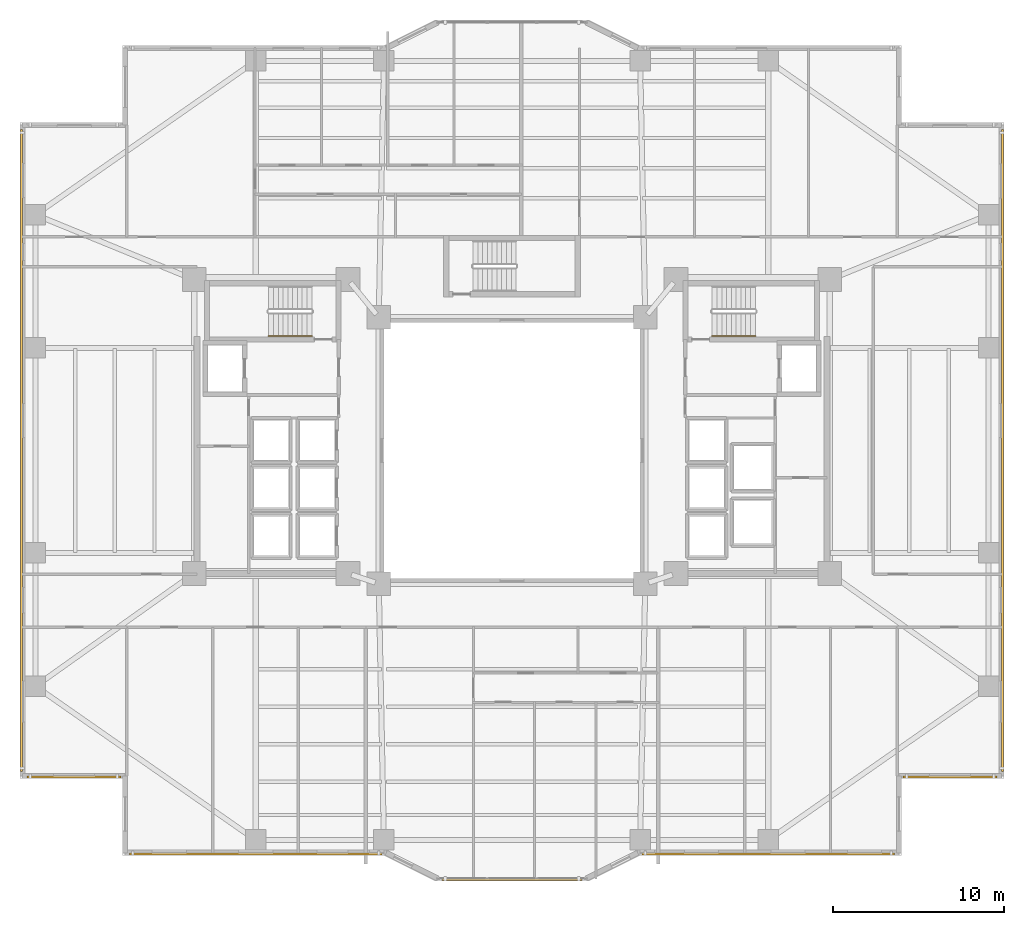
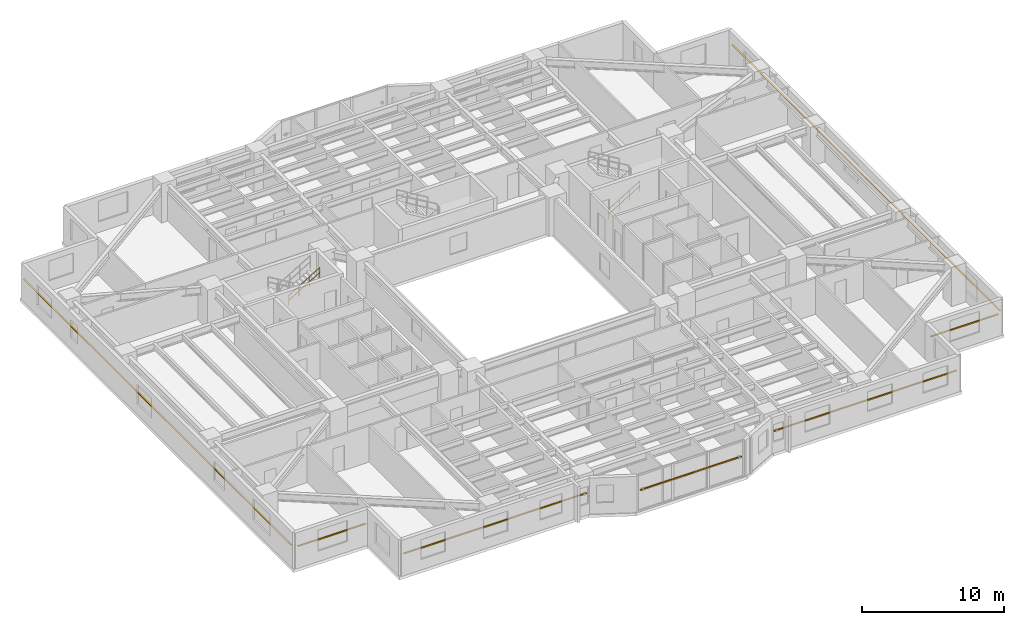
# One storey, part 17 of 19: 7 shading devices, 2 railings.
"""IFC4 building model written with IfcOpenShell, lengths in metres."""

from ifc_helpers import new_model, si_unit, direction, frame, origin, origin_2d, place, context, subcontext, project, spatial, rectangle, circle, extrude, material, material_profile, profile_set, type_object, element, save


model = new_model("IFC4")

# Units and contexts
model_context = context("Model", 3, precision=1e-05, world=origin(), true_north=direction((0.0, 1.0)))
body_context = subcontext(model_context, "Body", "Model", "MODEL_VIEW")
ifc_project = project(units=[si_unit("LENGTHUNIT", "METRE"), si_unit("AREAUNIT", "SQUARE_METRE"), si_unit("VOLUMEUNIT", "CUBIC_METRE"), si_unit("PLANEANGLEUNIT", "RADIAN"), si_unit("MASSUNIT", "GRAM", prefix="KILO")], contexts=[model_context])

# Site, building, storey
site_placement = place(None, origin())
site = spatial("IfcSite", under=ifc_project, at=site_placement, CompositionType="ELEMENT")
building_placement = place(site_placement, origin())
building = spatial("IfcBuilding", under=site, at=building_placement, Name="Tarnavaz Court Tower", CompositionType="ELEMENT")
storey_placement = place(building_placement, frame((0.0, 0.0, 50.800048828125)))
storey = spatial("IfcBuildingStorey", under=building, at=storey_placement, Name="L13", CompositionType="ELEMENT", Elevation=50.800048828125)

# Railings
ifc_material_1 = material(Name="Brushed Stainless Steel", Category="steel")
railing_type = type_object("IfcRailingType", Name="RL-HANDRAIL-900", PredefinedType="HANDRAIL", material=ifc_material_1)
railing_1_placement = place(storey_placement, frame((-14.239990234375, 6.699951171875, 1.842529296875)))
element("IfcRailing", 1, at=railing_1_placement, inside=storey, type_object=railing_type, Name="L13 ST-W1 stair handrail 2", PredefinedType="HANDRAIL", context=body_context, shape_type="SweptSolid", body=[
    extrude(circle(Radius=0.02392578125, at=origin_2d()), frame((0.0, 0.0, 0.8759765625), z_axis=(0.858196387827, 0.0, 0.513321497621), x_axis=(0.0, 1.0, 0.0)), (0.0, 0.0, 1.0), 2.9365234375),
    extrude(circle(Radius=0.02392578125, at=origin_2d()), frame((0.0, 0.0, 0.449951171875), z_axis=(0.858196387827, 0.0, 0.513321497621), x_axis=(0.0, 1.0, 0.0)), (0.0, 0.0, 1.0), 2.9365234375),
    extrude(circle(Radius=0.02099609375, at=origin_2d()), origin(), (0.0, 0.0, 1.0), 0.851806640625),
    extrude(circle(Radius=0.02099609375, at=origin_2d()), frame((0.840087890625, 0.0, 0.50244140625)), (0.0, 0.0, 1.0), 0.851806640625),
    extrude(circle(Radius=0.02099609375, at=origin_2d()), frame((1.679931640625, 0.0, 1.0048828125)), (0.0, 0.0, 1.0), 0.851806640625),
    extrude(circle(Radius=0.02099609375, at=origin_2d()), frame((2.52001953125, 0.0, 1.50732421875)), (0.0, 0.0, 1.0), 0.851806640625),
])
railing_2_placement = place(storey_placement, frame((11.719970703125, 6.699951171875, 0.16748046875)))
element("IfcRailing", 2, at=railing_2_placement, inside=storey, type_object=railing_type, Name="L13 ST-E1 stair handrail 1", PredefinedType="HANDRAIL", context=body_context, shape_type="SweptSolid", body=[
    extrude(circle(Radius=0.02392578125, at=origin_2d()), frame((0.0, 0.0, 0.8759765625), z_axis=(0.858159760407, 0.0, 0.513382728203), x_axis=(0.0, 1.0, 0.0)), (0.0, 0.0, 1.0), 2.9365234375),
    extrude(circle(Radius=0.02392578125, at=origin_2d()), frame((0.0, 0.0, 0.449951171875), z_axis=(0.858159760407, 0.0, 0.513382728203), x_axis=(0.0, 1.0, 0.0)), (0.0, 0.0, 1.0), 2.9365234375),
    extrude(circle(Radius=0.02099609375, at=origin_2d()), origin(), (0.0, 0.0, 1.0), 0.851806640625),
    extrude(circle(Radius=0.02099609375, at=origin_2d()), frame((0.840087890625, 0.0, 0.50244140625)), (0.0, 0.0, 1.0), 0.851806640625),
    extrude(circle(Radius=0.02099609375, at=origin_2d()), frame((1.679931640625, 0.0, 1.005126953125)), (0.0, 0.0, 1.0), 0.851806640625),
    extrude(circle(Radius=0.02099609375, at=origin_2d()), frame((2.52001953125, 0.0, 1.507568359375)), (0.0, 0.0, 1.0), 0.851806640625),
])

# Shading devices
ifc_material_2 = material(Name="Kiln-Fired Khorasan Terracotta Ceramic", Category="masonry")
ifc_material_profile = material_profile(ifc_material_2, rectangle(XDim=0.1201171875, YDim=0.06005859375, at=origin_2d()), Name="TC BAGUETTE 120X60")
ifc_profile_set = profile_set([ifc_material_profile], Name="Kiln-Fired Khorasan Terracotta Ceramic")
shading_device_type = type_object("IfcShadingDeviceType", Name="SD-BAG-120", PredefinedType="USERDEFINED", material=ifc_profile_set)
shading_device_1_placement = place(storey_placement, frame((-22.89990234375, -19.110107421875, 1.849853515625), z_axis=(-1.0, 0.0, 0.0), x_axis=(0.0, -1.0, 0.0)))
element("IfcShadingDevice", 3, at=shading_device_1_placement, inside=storey, type_object=shading_device_type, Name="L13 Terracotta Baguette Screen FBG01", ObjectType="BAGUETTE", PredefinedType="USERDEFINED", context=body_context, shape_type="SweptSolid", body=[
    extrude(rectangle(XDim=0.1201171875, YDim=0.06005859375, at=origin_2d()), origin(), (0.0, 0.0, 1.0), 5.5),
])
for number, where, z_axis, x_axis, name in (
    (4, (-28.7099609375, -18.800048828125, 1.849853515625), (0.0, 1.0, 0.0), (-1.0, 0.0, 0.0), "L13 Terracotta Baguette Screen FBG02"),
    (5, (28.7099609375, 18.800048828125, 1.849853515625), (0.0, -1.0, 0.0), (1.0, 0.0, 0.0), "L13 Terracotta Baguette Screen FBG12"),
):
    element("IfcShadingDevice", number, at=place(storey_placement, frame(where, z_axis=z_axis, x_axis=x_axis)), inside=storey, type_object=shading_device_type, Name=name, ObjectType="BAGUETTE", PredefinedType="USERDEFINED", context=body_context, shape_type="SweptSolid", body=[
        extrude(rectangle(XDim=0.1201171875, YDim=0.06005859375, at=origin_2d()), origin(), (0.0, 0.0, 1.0), 37.60009765625),
    ])
shading_device_2_placement = place(storey_placement, frame((28.39990234375, -19.110107421875, 1.849853515625), z_axis=(-1.0, 0.0, 0.0), x_axis=(0.0, -1.0, 0.0)))
element("IfcShadingDevice", 6, at=shading_device_2_placement, inside=storey, type_object=shading_device_type, Name="L13 Terracotta Baguette Screen FBG13", ObjectType="BAGUETTE", PredefinedType="USERDEFINED", context=body_context, shape_type="SweptSolid", body=[
    extrude(rectangle(XDim=0.1201171875, YDim=0.06005859375, at=origin_2d()), origin(), (0.0, 0.0, 1.0), 5.5),
])
shading_device_3_placement = place(storey_placement, frame((22.39990234375, -23.610107421875, 1.849853515625), z_axis=(-1.0, 0.0, 0.0), x_axis=(0.0, -1.0, 0.0)))
element("IfcShadingDevice", 7, at=shading_device_3_placement, inside=storey, type_object=shading_device_type, Name="L13 Terracotta Baguette Screen FBG15", ObjectType="BAGUETTE", PredefinedType="USERDEFINED", context=body_context, shape_type="SweptSolid", body=[
    extrude(rectangle(XDim=0.1201171875, YDim=0.06005859375, at=origin_2d()), origin(), (0.0, 0.0, 1.0), 14.7998046875),
])
shading_device_4_placement = place(storey_placement, frame((4.10009765625, -25.110107421875, 1.800048828125), z_axis=(-1.0, 0.0, 0.0), x_axis=(0.0, -1.0, 0.0)))
element("IfcShadingDevice", 8, at=shading_device_4_placement, inside=storey, type_object=shading_device_type, Name="L13 Terracotta Baguette Screen PBG17", ObjectType="BAGUETTE", PredefinedType="USERDEFINED", context=body_context, shape_type="SweptSolid", body=[
    extrude(rectangle(XDim=0.1201171875, YDim=0.06005859375, at=origin_2d()), origin(), (0.0, 0.0, 1.0), 8.2001953125),
])
shading_device_5_placement = place(storey_placement, frame((-7.60009765625, -23.610107421875, 1.849853515625), z_axis=(-1.0, 0.0, 0.0), x_axis=(0.0, -1.0, 0.0)))
element("IfcShadingDevice", 9, at=shading_device_5_placement, inside=storey, type_object=shading_device_type, Name="L13 Terracotta Baguette Screen FBG19", ObjectType="BAGUETTE", PredefinedType="USERDEFINED", context=body_context, shape_type="SweptSolid", body=[
    extrude(rectangle(XDim=0.1201171875, YDim=0.06005859375, at=origin_2d()), origin(), (0.0, 0.0, 1.0), 14.7998046875),
])

save(model, "model.ifc")
